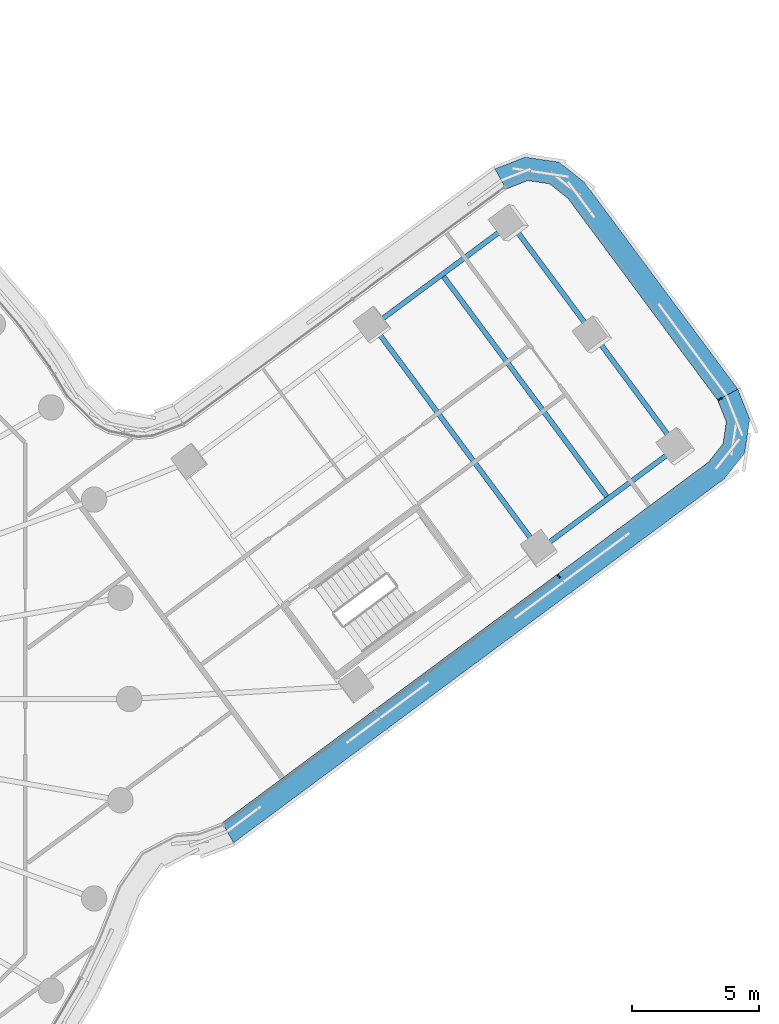
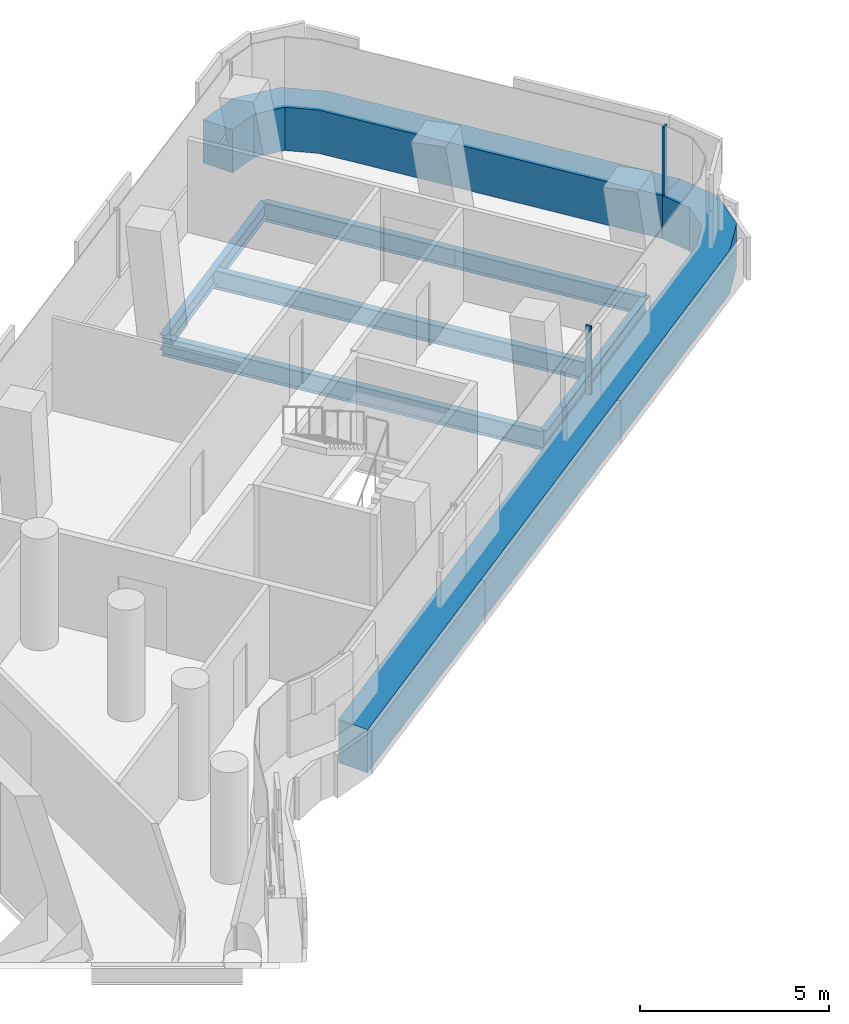
# One storey, part 13 of 32: 6 beams, 4 members, 2 elements without a shape of their own.
"""IFC4 building model written with IfcOpenShell, lengths in metres."""

from ifc_helpers import new_model, si_unit, direction, frame, origin, origin_2d, place, context, subcontext, project, spatial, polyline, rectangle, i_section, outline, extrude, material, layer, layer_set, material_profile, profile_set, type_object, element, aggregate, save


model = new_model("IFC4")

# Units and contexts
model_context = context("Model", 3, precision=1e-05, world=origin(), true_north=direction((0.0, 1.0)))
body_context = subcontext(model_context, "Body", "Model", "MODEL_VIEW")
ifc_project = project(units=[si_unit("LENGTHUNIT", "METRE"), si_unit("AREAUNIT", "SQUARE_METRE"), si_unit("VOLUMEUNIT", "CUBIC_METRE"), si_unit("PLANEANGLEUNIT", "RADIAN"), si_unit("MASSUNIT", "GRAM", prefix="KILO")], contexts=[model_context])

# Site, building, storey
site_placement = place(None, origin())
site = spatial("IfcSite", under=ifc_project, at=site_placement, CompositionType="ELEMENT")
building_placement = place(site_placement, origin())
building = spatial("IfcBuilding", under=site, at=building_placement, Name="Tamarind Cross Interchange Tower", CompositionType="ELEMENT")
storey_placement = place(building_placement, frame((0.0, 0.0, 166.75)))
storey = spatial("IfcBuildingStorey", under=building, at=storey_placement, Name="L41", CompositionType="ELEMENT", Elevation=166.75)

# Beams
ifc_material_1 = material(Name="Steel Q355B", Category="steel")
ifc_material_profile_1 = material_profile(ifc_material_1, i_section(OverallWidth=0.198974609375, OverallDepth=0.49609375, WebThickness=0.009033203125, FlangeThickness=0.013916015625, FilletRadius=0.012939453125, at=origin_2d()), Name="HN 496x199x9x14")
ifc_profile_set_1 = profile_set([ifc_material_profile_1], Name="Steel Q355B")
beam_type_1 = type_object("IfcBeamType", Name="Composite beam HN 496x199x9x14 Q355B", PredefinedType="BEAM", material=ifc_profile_set_1)
beam_1_placement = place(storey_placement, frame((44.611572265625, 9.92529296875, -0.387939453125), z_axis=(-0.803141978928, -0.595787681716, 0.0), x_axis=(0.595787681716, -0.803141978928, 0.0)))
element("IfcBeam", 1, at=beam_1_placement, inside=storey, type_object=beam_type_1, Name="Beam E-edgeem5", PredefinedType="BEAM", context=body_context, shape_type="SweptSolid", body=[
    extrude(i_section(OverallWidth=0.198974609375, OverallDepth=0.49609375, WebThickness=0.009033203125, FlangeThickness=0.013916015625, FilletRadius=0.012939453125, at=origin_2d()), origin(), (0.0, 0.0, 1.0), 6.773681640625),
])
beam_2_placement = place(storey_placement, frame((38.057861328125, 18.759765625, -0.387939453125), z_axis=(-0.803159225523, -0.595764432018, 0.0), x_axis=(0.595764432018, -0.803159225523, 0.0)))
element("IfcBeam", 2, at=beam_2_placement, inside=storey, type_object=beam_type_1, Name="Beam E-edgeep2", PredefinedType="BEAM", context=body_context, shape_type="SweptSolid", body=[
    extrude(i_section(OverallWidth=0.198974609375, OverallDepth=0.49609375, WebThickness=0.009033203125, FlangeThickness=0.013916015625, FilletRadius=0.012939453125, at=origin_2d()), origin(), (0.0, 0.0, 1.0), 6.7734375),
])
ifc_material_profile_2 = material_profile(ifc_material_1, i_section(OverallWidth=0.199951171875, OverallDepth=0.60009765625, WebThickness=0.010986328125, FlangeThickness=0.01708984375, FilletRadius=0.012939453125, at=origin_2d()), Name="HN 600x200x11x17")
ifc_profile_set_2 = profile_set([ifc_material_profile_2], Name="Steel Q355B")
beam_type_2 = type_object("IfcBeamType", Name="Composite beam HN 600x200x11x17 Q355B", PredefinedType="BEAM", material=ifc_profile_set_2)
for number, where, z_axis, x_axis, name in (
    (3, (44.611572265625, 9.92529296875, -0.43994140625), (-0.595794281258, 0.803137083206, 0.0), (-0.803137083206, -0.595794281258, 0.0), "Beam E-tip0"),
    (4, (41.334716796875, 14.342529296875, -0.43994140625), (-0.595794281258, 0.803137083206, 0.0), (-0.803137083206, -0.595794281258, 0.0), "Beam E-tip1"),
):
    element("IfcBeam", number, at=place(storey_placement, frame(where, z_axis=z_axis, x_axis=x_axis)), inside=storey, type_object=beam_type_2, Name=name, PredefinedType="BEAM", context=body_context, shape_type="SweptSolid", body=[
        extrude(i_section(OverallWidth=0.199951171875, OverallDepth=0.60009765625, WebThickness=0.010986328125, FlangeThickness=0.01708984375, FilletRadius=0.012939453125, at=origin_2d()), origin(), (0.0, 0.0, 1.0), 5.5),
    ])
beam_3_placement = place(storey_placement, frame((39.17138671875, 5.8896484375, -0.43994140625), z_axis=(-0.595783661136, 0.803144961463, 0.0), x_axis=(-0.803144961463, -0.595783661136, 0.0)))
element("IfcBeam", 5, at=beam_3_placement, inside=storey, type_object=beam_type_2, Name="Beam E-x393", PredefinedType="BEAM", context=body_context, shape_type="SweptSolid", body=[
    extrude(i_section(OverallWidth=0.199951171875, OverallDepth=0.60009765625, WebThickness=0.010986328125, FlangeThickness=0.01708984375, FilletRadius=0.012939453125, at=origin_2d()), origin(), (0.0, 0.0, 1.0), 11.000244140625),
])
beam_4_placement = place(storey_placement, frame((41.891357421875, 7.907470703125, -0.43994140625), z_axis=(-0.59577996475, 0.803147703478, 0.0), x_axis=(-0.803147703478, -0.59577996475, 0.0)))
element("IfcBeam", 6, at=beam_4_placement, inside=storey, type_object=beam_type_2, Name="Beam E-x427", PredefinedType="BEAM", context=body_context, shape_type="SweptSolid", body=[
    extrude(i_section(OverallWidth=0.199951171875, OverallDepth=0.60009765625, WebThickness=0.010986328125, FlangeThickness=0.01708984375, FilletRadius=0.012939453125, at=origin_2d()), origin(), (0.0, 0.0, 1.0), 10.999755859375),
])

# Curtain wall, member
ifc_material_2 = material(Name="Aluminium 6063-T6", Category="aluminium")
ifc_layer = layer(ifc_material_2, 0.159912109375)
ifc_layer_set = layer_set([ifc_layer], Name="Aluminium 6063-T6")
curtain_wall_type = type_object("IfcCurtainWallType", Name="Office curtain wall, 9.0 m bays", PredefinedType="NOTDEFINED", material=ifc_layer_set)
curtain_wall_1_placement = place(storey_placement, origin())
curtain_wall_1 = element("IfcCurtainWall", 7, at=curtain_wall_1_placement, inside=storey, type_object=curtain_wall_type, Name="CWS-L41-00", PredefinedType="NOTDEFINED")
ifc_material_3 = material(Name="Aluminium and insulated spandrel panel", Category="aluminium")
member_type_1 = type_object("IfcMemberType", Name="Floor-edge blade transom", PredefinedType="USERDEFINED", material=ifc_material_3)
member_1_placement = place(storey_placement, origin())
member_1 = element("IfcMember", 8, at=member_1_placement, type_object=member_type_1, Name="CWT-L41-00", ObjectType="TRANSOM", PredefinedType="USERDEFINED", context=body_context, shape_type="SweptSolid", body=[
    extrude(outline(polyline([(46.20751953125, 11.781005859375), (40.296875, 19.7490234375), (39.579833984375, 20.31787109375), (38.71484375, 20.4462890625), (37.863037109375, 20.109619140625), (37.423095703125, 20.9033203125), (38.608154296875, 21.371826171875), (39.950439453125, 21.1728515625), (40.94921875, 20.38037109375), (47.0009765625, 12.221923828125), (46.20751953125, 11.781005859375)])), origin(), (0.0, 0.0, 1.0), 1.39990234375),
])

curtain_wall_2_placement = place(storey_placement, origin())
curtain_wall_2 = element("IfcCurtainWall", 9, at=curtain_wall_2_placement, inside=storey, type_object=curtain_wall_type, Name="CWS-L41-15", PredefinedType="NOTDEFINED")
member_2_placement = place(storey_placement, origin())
member_2 = element("IfcMember", 10, at=member_2_placement, type_object=member_type_1, Name="CWT-L41-15", ObjectType="TRANSOM", PredefinedType="USERDEFINED", context=body_context, shape_type="SweptSolid", body=[
    extrude(outline(polyline([(26.67236328125, -4.876220703125), (45.846923828125, 9.347412109375), (46.416015625, 10.064453125), (46.544189453125, 10.9296875), (46.20751953125, 11.781005859375), (47.0009765625, 12.221923828125), (47.4697265625, 11.0361328125), (47.270751953125, 9.694091796875), (46.478271484375, 8.6953125), (27.109130859375, -5.6728515625), (26.67236328125, -4.876220703125)])), origin(), (0.0, 0.0, 1.0), 1.39990234375),
])

# Member
ifc_material_profile_3 = material_profile(ifc_material_2, rectangle(XDim=0.06005859375, YDim=0.159912109375, at=origin_2d()), Name="Mullion CW1")
ifc_profile_set_3 = profile_set([ifc_material_profile_3], Name="Aluminium 6063-T6")
member_type_2 = type_object("IfcMemberType", Name="Mullion CW1", PredefinedType="MULLION", material=ifc_profile_set_3)
member_3_placement = place(storey_placement, frame((46.2958984375, 11.829833984375, 1.39990234375), z_axis=(0.0, 0.0, 1.0), x_axis=(-0.485847298127, 0.874043707661, 0.0)))
member_3 = element("IfcMember", 11, at=member_3_placement, type_object=member_type_2, Name="CWM-L41-00-00", PredefinedType="MULLION", context=body_context, shape_type="SweptSolid", body=[
    extrude(rectangle(XDim=0.06005859375, YDim=0.159912109375, at=origin_2d()), origin(), (0.0, 0.0, 1.0), 2.210205078125),
])

aggregate(curtain_wall_1, [member_3, member_1])

member_4_placement = place(storey_placement, frame((39.938232421875, 4.83984375, 1.39990234375), z_axis=(0.0, 0.0, 1.0), x_axis=(0.803150344752, 0.595776404136, 0.0)))
member_4 = element("IfcMember", 12, at=member_4_placement, type_object=member_type_2, Name="CWM-L41-15-02", PredefinedType="MULLION", context=body_context, shape_type="SweptSolid", body=[
    extrude(rectangle(XDim=0.06005859375, YDim=0.159912109375, at=origin_2d()), origin(), (0.0, 0.0, 1.0), 2.210205078125),
])

aggregate(curtain_wall_2, [member_4, member_2])

save(model, "model.ifc")
